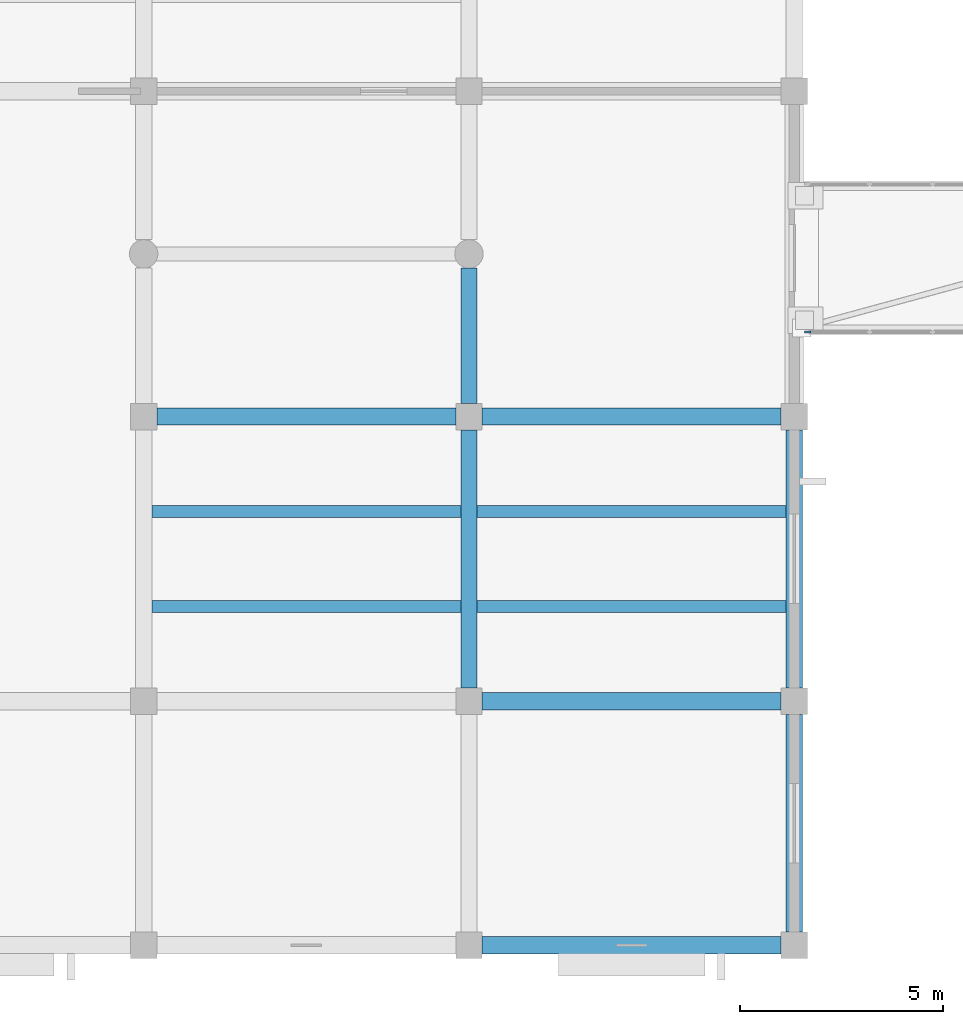
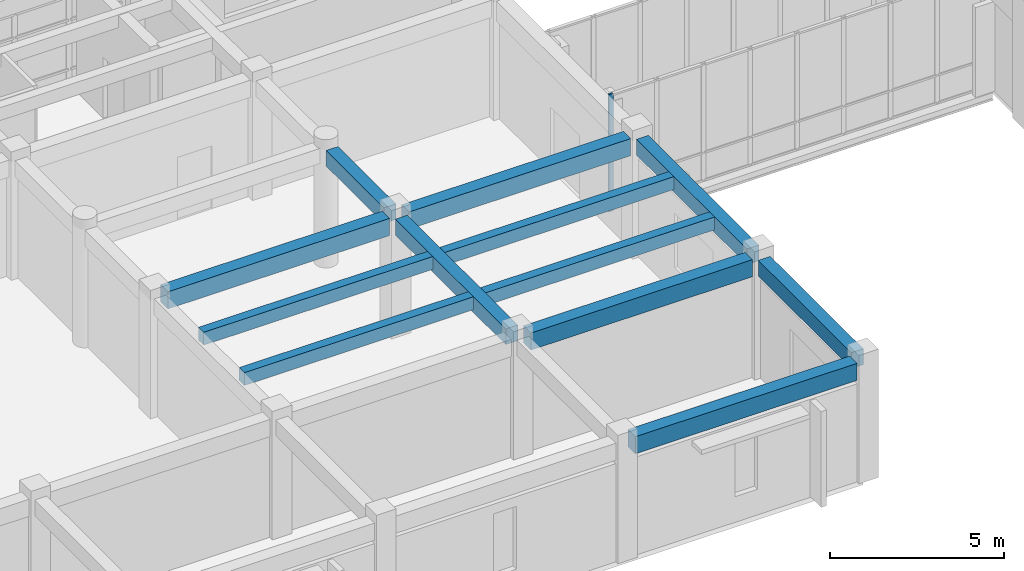
# One storey, part 20 of 72: 12 beams, 1 member, 1 element without a shape of its own.
"""IFC4 building model written with IfcOpenShell, lengths in metres."""

from ifc_helpers import new_model, si_unit, direction, frame, origin, origin_2d, place, context, subcontext, project, spatial, rectangle, extrude, material, layer, layer_set, material_profile, profile_set, type_object, element, aggregate, save


model = new_model("IFC4")

# Units and contexts
model_context = context("Model", 3, precision=1e-05, world=origin(), true_north=direction((0.0, 1.0)))
body_context = subcontext(model_context, "Body", "Model", "MODEL_VIEW")
ifc_project = project(units=[si_unit("LENGTHUNIT", "METRE"), si_unit("AREAUNIT", "SQUARE_METRE"), si_unit("VOLUMEUNIT", "CUBIC_METRE"), si_unit("PLANEANGLEUNIT", "RADIAN"), si_unit("MASSUNIT", "GRAM", prefix="KILO")], contexts=[model_context])

# Site, building, storey
site_placement = place(None, origin())
site = spatial("IfcSite", under=ifc_project, at=site_placement, CompositionType="ELEMENT")
building_placement = place(site_placement, origin())
building = spatial("IfcBuilding", under=site, at=building_placement, Name="Naurynzar Civic Courthouse", CompositionType="ELEMENT")
storey_placement = place(building_placement, frame((0.0, 0.0, 9.89990234375)))
storey = spatial("IfcBuildingStorey", under=building, at=storey_placement, Name="L03", CompositionType="ELEMENT", Elevation=9.89990234375)

# Beams
ifc_material_1 = material(Name="Concrete C40/50", Category="concrete")
ifc_material_profile_1 = material_profile(ifc_material_1, rectangle(XDim=0.300048828125, YDim=0.449951171875, at=origin_2d()), Name="RCJ 300x450")
ifc_profile_set_1 = profile_set([ifc_material_profile_1], Name="Concrete C40/50")
beam_type_1 = type_object("IfcBeamType", Name="BM-JST-300x450", PredefinedType="JOIST", material=ifc_profile_set_1)
for number, where, z_axis, x_axis, name in (
    (1, (101.199951171875, 12.333251953125, 3.93505859375), (1.0, 0.0, 0.0), (0.0, 1.0, 0.0), "V3 secondary rib 1479 L03"),
    (2, (101.199951171875, 14.666748046875, 3.93505859375), (1.0, 0.0, 0.0), (0.0, 1.0, 0.0), "V3 secondary rib 1480 L03"),
    (3, (109.199951171875, 12.333251953125, 3.93505859375), (1.0, 0.0, 0.0), (0.0, 1.0, 0.0), "V3 secondary rib 1481 L03"),
    (4, (109.199951171875, 14.666748046875, 3.93505859375), (1.0, 0.0, 0.0), (0.0, 1.0, 0.0), "V3 secondary rib 1482 L03"),
):
    element("IfcBeam", number, at=place(storey_placement, frame(where, z_axis=z_axis, x_axis=x_axis)), inside=storey, type_object=beam_type_1, Name=name, PredefinedType="JOIST", context=body_context, shape_type="SweptSolid", body=[
        extrude(rectangle(XDim=0.300048828125, YDim=0.449951171875, at=origin_2d()), origin(), (0.0, 0.0, 1.0), 7.60009765625),
    ])
ifc_material_2 = material(Name="Concrete C40/50", Category="concrete")
ifc_material_profile_2 = material_profile(ifc_material_2, rectangle(XDim=0.39990234375, YDim=0.550048828125, at=origin_2d()), Name="RCB 400x550")
ifc_profile_set_2 = profile_set([ifc_material_profile_2], Name="Concrete C40/50")
beam_type_2 = type_object("IfcBeamType", Name="BM-RC-400x550", PredefinedType="BEAM", material=ifc_profile_set_2)
beam_1_placement = place(storey_placement, frame((109.0, 10.324951171875, 3.885009765625), z_axis=(0.0, 1.0, 0.0), x_axis=(-1.0, 0.0, 0.0)))
element("IfcBeam", 5, at=beam_1_placement, inside=storey, type_object=beam_type_2, Name="V3 girder Y-1467 L03", PredefinedType="BEAM", context=body_context, shape_type="SweptSolid", body=[
    extrude(rectangle(XDim=0.39990234375, YDim=0.550048828125, at=origin_2d()), origin(), (0.0, 0.0, 1.0), 6.35009765625),
])
beam_2_placement = place(storey_placement, frame((109.0, 17.324951171875, 3.885009765625), z_axis=(0.0, 1.0, 0.0), x_axis=(-1.0, 0.0, 0.0)))
element("IfcBeam", 6, at=beam_2_placement, inside=storey, type_object=beam_type_2, Name="V3 girder Y-1468 L03", PredefinedType="BEAM", context=body_context, shape_type="SweptSolid", body=[
    extrude(rectangle(XDim=0.39990234375, YDim=0.550048828125, at=origin_2d()), origin(), (0.0, 0.0, 1.0), 3.324951171875),
])
beam_3_placement = place(storey_placement, frame((117.0, 4.324951171875, 3.885009765625), z_axis=(0.0, 1.0, 0.0), x_axis=(-1.0, 0.0, 0.0)))
element("IfcBeam", 7, at=beam_3_placement, inside=storey, type_object=beam_type_2, Name="V3 girder Y-1471 L03", PredefinedType="BEAM", context=body_context, shape_type="SweptSolid", body=[
    extrude(rectangle(XDim=0.39990234375, YDim=0.550048828125, at=origin_2d()), origin(), (0.0, 0.0, 1.0), 5.35009765625),
])
beam_4_placement = place(storey_placement, frame((117.0, 10.324951171875, 3.885009765625), z_axis=(0.0, 1.0, 0.0), x_axis=(-1.0, 0.0, 0.0)))
element("IfcBeam", 8, at=beam_4_placement, inside=storey, type_object=beam_type_2, Name="V3 girder Y-1472 L03", PredefinedType="BEAM", context=body_context, shape_type="SweptSolid", body=[
    extrude(rectangle(XDim=0.39990234375, YDim=0.550048828125, at=origin_2d()), origin(), (0.0, 0.0, 1.0), 6.35009765625),
])
ifc_material_3 = material(Name="Concrete C40/50", Category="concrete")
ifc_material_profile_3 = material_profile(ifc_material_3, rectangle(XDim=0.425048828125, YDim=0.60009765625, at=origin_2d()), Name="RCB 425x600")
ifc_profile_set_3 = profile_set([ifc_material_profile_3], Name="Concrete C40/50")
beam_type_3 = type_object("IfcBeamType", Name="BM-RC-425x600", PredefinedType="BEAM", material=ifc_profile_set_3)
for number, where, z_axis, x_axis, name in (
    (9, (109.324951171875, 4.0, 3.860107421875), (1.0, 0.0, 0.0), (0.0, 1.0, 0.0), "V3 beam X-1422 L03"),
    (10, (109.324951171875, 10.0, 3.860107421875), (1.0, 0.0, 0.0), (0.0, 1.0, 0.0), "V3 beam X-1428 L03"),
    (11, (101.324951171875, 17.0, 3.860107421875), (1.0, 0.0, 0.0), (0.0, 1.0, 0.0), "V3 beam X-1431 L03"),
    (12, (109.324951171875, 17.0, 3.860107421875), (1.0, 0.0, 0.0), (0.0, 1.0, 0.0), "V3 beam X-1432 L03"),
):
    element("IfcBeam", number, at=place(storey_placement, frame(where, z_axis=z_axis, x_axis=x_axis)), inside=storey, type_object=beam_type_3, Name=name, PredefinedType="BEAM", context=body_context, shape_type="SweptSolid", body=[
        extrude(rectangle(XDim=0.425048828125, YDim=0.60009765625, at=origin_2d()), origin(), (0.0, 0.0, 1.0), 7.35009765625),
    ])

# Curtain wall, member
ifc_material_4 = material(Name="Aluminium 6063-T6", Category="aluminium")
ifc_layer = layer(ifc_material_4, 0.14990234375)
ifc_layer_set = layer_set([ifc_layer], Name="CW-BRIDGE-1500")
curtain_wall_type = type_object("IfcCurtainWallType", Name="CW-BRIDGE-1500", PredefinedType="USERDEFINED", material=ifc_layer_set)
curtain_wall_placement = place(storey_placement, origin())
curtain_wall = element("IfcCurtainWall", 13, at=curtain_wall_placement, inside=storey, type_object=curtain_wall_type, Name="BR-E2 glazed bridge screen L03.1", ObjectType="GLAZED BRIDGE SCREEN", PredefinedType="USERDEFINED")
ifc_material_5 = material(Name="Aluminium 6063-T6", Category="aluminium")
ifc_material_profile_4 = material_profile(ifc_material_5, rectangle(XDim=0.06005859375, YDim=0.14990234375, at=origin_2d()), Name="ALU MULLION 60x150")
ifc_profile_set_4 = profile_set([ifc_material_profile_4], Name="Aluminium 6063-T6")
member_type = type_object("IfcMemberType", Name="CWM-60x150", PredefinedType="MULLION", material=ifc_profile_set_4)
member_placement = place(storey_placement, frame((117.330078125, 19.080078125, 0.0), z_axis=(0.0, 0.0, 1.0), x_axis=(0.0, 1.0, 0.0)))
member = element("IfcMember", 14, at=member_placement, type_object=member_type, Name="CW-03 mullion 1", PredefinedType="MULLION", context=body_context, shape_type="SweptSolid", body=[
    extrude(rectangle(XDim=0.06005859375, YDim=0.14990234375, at=origin_2d()), origin(), (0.0, 0.0, 1.0), 4.1201171875),
])
aggregate(curtain_wall, [member])

save(model, "model.ifc")
